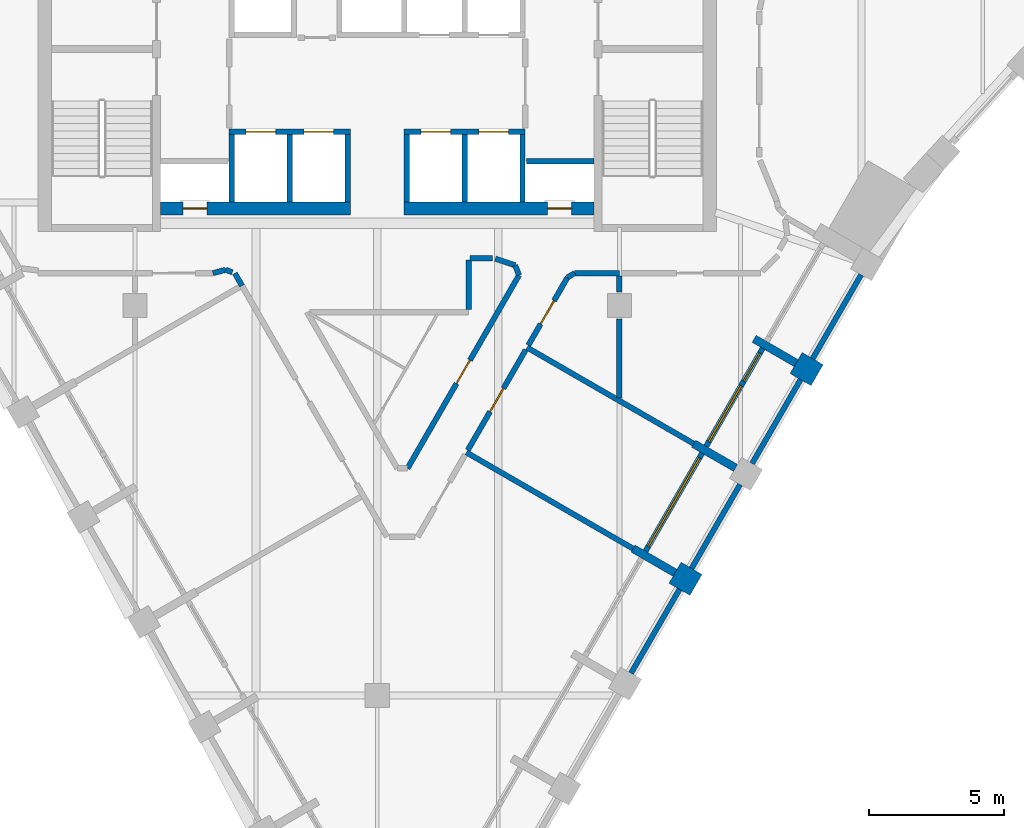
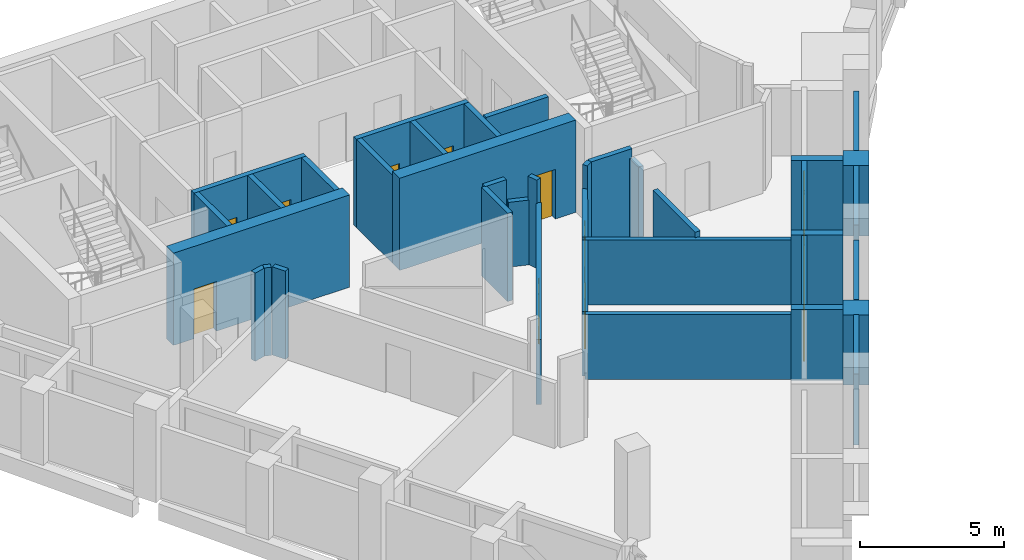
# One storey, part 4 of 9: 38 walls, 10 doors, 2 windows, 12 openings.
"""IFC4 building model written with IfcOpenShell, lengths in metres."""

from ifc_helpers import new_model, si_unit, direction, frame, frame_2d, origin, place, context, subcontext, project, spatial, polyline, rectangle, outline, extrude, material, layer, layer_set, type_object, element, fill, save


model = new_model("IFC4")

# Units and contexts
model_context = context("Model", 3, precision=1e-05, world=origin(), true_north=direction((0.0, 1.0)))
body_context = subcontext(model_context, "Body", "Model", "MODEL_VIEW")
ifc_project = project(units=[si_unit("LENGTHUNIT", "METRE"), si_unit("AREAUNIT", "SQUARE_METRE"), si_unit("VOLUMEUNIT", "CUBIC_METRE"), si_unit("PLANEANGLEUNIT", "RADIAN"), si_unit("MASSUNIT", "GRAM", prefix="KILO")], contexts=[model_context])

# Site, building, storey
site_placement = place(None, origin())
site = spatial("IfcSite", under=ifc_project, at=site_placement, CompositionType="ELEMENT")
building_placement = place(site_placement, origin())
building = spatial("IfcBuilding", under=site, at=building_placement, Name="Calabash Gate Tower", CompositionType="ELEMENT")
storey_placement = place(building_placement, frame((0.0, 0.0, 287.199951171875)))
storey = spatial("IfcBuildingStorey", under=building, at=storey_placement, Name="L69", CompositionType="ELEMENT", Elevation=287.199951171875)

# Walls
ifc_material_1 = material(Name="Terracotta brick masonry, exposed face", Category="masonry")
ifc_layer_1 = layer(ifc_material_1, 0.89990234375)
ifc_layer_set_1 = layer_set([ifc_layer_1], Name="Brick end wall 900")
wall_type_1 = type_object("IfcWallType", Name="Brick end wall 900", PredefinedType="SOLIDWALL", material=ifc_layer_set_1)
wall_1_placement = place(storey_placement, frame((11.068115234375, -7.436767578125, 0.0), z_axis=(0.0, 0.0, 1.0), x_axis=(0.866081705922, -0.499902469156, 0.0)))
element("IfcWall", 1, at=wall_1_placement, inside=storey, type_object=wall_type_1, Name="Brick pier S21 SE2.3", PredefinedType="SOLIDWALL", context=body_context, shape_type="SweptSolid", body=[
    extrude(rectangle(XDim=0.900146484375, YDim=0.89990234375, at=frame_2d((0.4501953125, 0.0))), origin(), (0.0, 0.0, 1.0), 2.9736328125),
])
wall_2_placement = place(storey_placement, frame((15.568115234375, 0.357421875, 0.0), z_axis=(0.0, 0.0, 1.0), x_axis=(0.866081705922, -0.499902469156, 0.0)))
element("IfcWall", 2, at=wall_2_placement, inside=storey, type_object=wall_type_1, Name="Brick pier S21 SE2.5", PredefinedType="SOLIDWALL", context=body_context, shape_type="SweptSolid", body=[
    extrude(rectangle(XDim=0.900146484375, YDim=0.89990234375, at=frame_2d((0.4501953125, 0.0))), origin(), (0.0, 0.0, 1.0), 3.0),
])
ifc_material_2 = material(Name="Terracotta brick masonry, exposed face", Category="masonry")
ifc_layer_2 = layer(ifc_material_2, 0.300048828125)
ifc_layer_set_2 = layer_set([ifc_layer_2], Name="Brick loggia cheek wall 300")
wall_type_2 = type_object("IfcWallType", Name="Brick loggia cheek wall 300", PredefinedType="SOLIDWALL", material=ifc_layer_set_2)
wall_3_placement = place(storey_placement, frame((11.068115234375, -7.436767578125, 0.0), z_axis=(0.0, 0.0, 1.0), x_axis=(-0.866047807691, 0.499961193289, 0.0)))
element("IfcWall", 3, at=wall_3_placement, inside=storey, type_object=wall_type_2, Name="Loggia cheek S21 SE2.3", PredefinedType="SOLIDWALL", context=body_context, shape_type="SweptSolid", body=[
    extrude(rectangle(XDim=1.800048828125, YDim=0.300048828125, at=frame_2d((0.89990234375, 0.0))), origin(), (0.0, 0.0, 1.0), 3.0),
])
wall_4_placement = place(storey_placement, frame((11.75927734375, -2.6396484375, 0.0), z_axis=(0.0, 0.0, 1.0), x_axis=(0.866038726271, -0.499976924066, 0.0)))
element("IfcWall", 4, at=wall_4_placement, inside=storey, type_object=wall_type_2, Name="Loggia cheek S21 SE2.4", PredefinedType="SOLIDWALL", context=body_context, shape_type="SweptSolid", body=[
    extrude(rectangle(XDim=1.79931640625, YDim=0.300048828125, at=frame_2d((0.899658203125, 0.0))), origin(), (0.0, 0.0, 1.0), 3.0),
])
wall_5_placement = place(storey_placement, frame((15.568115234375, 0.357421875, 0.0), z_axis=(0.0, 0.0, 1.0), x_axis=(-0.866047807691, 0.499961193289, 0.0)))
element("IfcWall", 5, at=wall_5_placement, inside=storey, type_object=wall_type_2, Name="Loggia cheek S21 SE2.5", PredefinedType="SOLIDWALL", context=body_context, shape_type="SweptSolid", body=[
    extrude(rectangle(XDim=1.800048828125, YDim=0.300048828125, at=frame_2d((0.89990234375, 0.0))), origin(), (0.0, 0.0, 1.0), 3.0),
])

# Wall, opening, door
ifc_material_3 = material(Name="Concrete C60/75", Category="concrete")
ifc_layer_3 = layer(ifc_material_3, 0.5)
ifc_layer_set_3 = layer_set([ifc_layer_3], Name="Core wall 500 Concrete C60/75")
wall_type_3 = type_object("IfcWallType", Name="Core wall 500 Concrete C60/75", PredefinedType="SHEAR", material=ifc_layer_set_3)
wall_6_placement = place(storey_placement, frame((-8.050048828125, 6.1025390625, 0.0), z_axis=(0.0, 0.0, 1.0), x_axis=(1.0, 0.0, 0.0)))
wall_6 = element("IfcWall", 6, at=wall_6_placement, inside=storey, type_object=wall_type_3, Name="Core wall Z5-SA L69", PredefinedType="SHEAR", context=body_context, shape_type="SweptSolid", body=[
    extrude(rectangle(XDim=7.050048828125, YDim=0.5, at=frame_2d((3.52490234375, 0.0))), origin(), (0.0, 0.0, 1.0), 3.900146484375),
])
opening_1_placement = place(wall_6_placement, frame((0.824951171875, 0.0, 0.0)))
opening_1 = element("IfcOpeningElement", 7, at=opening_1_placement, cuts=wall_6, Name="Opening O13-009", PredefinedType="OPENING", context=body_context, shape_type="SweptSolid", body=[
    extrude(rectangle(XDim=0.89990234375, YDim=2.10009765625, at=frame_2d((0.449951171875, 1.050048828125))), frame((0.0, 0.260009765625, 0.0), z_axis=(0.0, -1.0, 0.0), x_axis=(1.0, 0.0, 0.0)), (0.0, 0.0, 1.0), 0.52001953125),
])
ifc_material_4 = material(Name="Steel fire door set with fire-resisting glazing", Category="steel")
door_type_1 = type_object("IfcDoorType", Name="Fire door D07 900x2100 FD90", OperationType="NOTDEFINED", PredefinedType="DOOR", material=ifc_material_4)
door_1_placement = place(opening_1_placement, origin())
door_1 = element("IfcDoor", 8, at=door_1_placement, inside=storey, type_object=door_type_1, Name="Electrical Riser W door", OperationType="SINGLE_SWING_LEFT", OverallHeight=2.10009765625, OverallWidth=0.89990234375, PredefinedType="DOOR", context=body_context, shape_type="SweptSolid", body=[
    extrude(rectangle(XDim=0.89990234375, YDim=2.10009765625, at=frame_2d((0.449951171875, 1.050048828125))), frame((0.0, 0.02490234375, 0.0), z_axis=(0.0, -1.0, 0.0), x_axis=(1.0, 0.0, 0.0)), (0.0, 0.0, 1.0), 0.050048828125),
])
fill(opening_1, door_1)

wall_7_placement = place(storey_placement, frame((1.0, 6.1025390625, 0.0), z_axis=(0.0, 0.0, 1.0), x_axis=(1.0, 0.0, 0.0)))
wall_7 = element("IfcWall", 9, at=wall_7_placement, inside=storey, type_object=wall_type_3, Name="Core wall Z5-SB L69", PredefinedType="SHEAR", context=body_context, shape_type="SweptSolid", body=[
    extrude(rectangle(XDim=7.050048828125, YDim=0.5, at=frame_2d((3.52490234375, 0.0))), origin(), (0.0, 0.0, 1.0), 3.900146484375),
])
opening_2_placement = place(wall_7_placement, frame((5.324951171875, 0.0, 0.0)))
opening_2 = element("IfcOpeningElement", 10, at=opening_2_placement, cuts=wall_7, Name="Opening O13-008", PredefinedType="OPENING", context=body_context, shape_type="SweptSolid", body=[
    extrude(rectangle(XDim=0.89990234375, YDim=2.10009765625, at=frame_2d((0.449951171875, 1.050048828125))), frame((0.0, 0.260009765625, 0.0), z_axis=(0.0, -1.0, 0.0), x_axis=(1.0, 0.0, 0.0)), (0.0, 0.0, 1.0), 0.52001953125),
])
door_2_placement = place(opening_2_placement, origin())
door_2 = element("IfcDoor", 11, at=door_2_placement, inside=storey, type_object=door_type_1, Name="Mechanical Riser E door", OperationType="SINGLE_SWING_RIGHT", OverallHeight=2.10009765625, OverallWidth=0.89990234375, PredefinedType="DOOR", context=body_context, shape_type="SweptSolid", body=[
    extrude(rectangle(XDim=0.89990234375, YDim=2.10009765625, at=frame_2d((0.449951171875, 1.050048828125))), frame((0.0, 0.02490234375, 0.0), z_axis=(0.0, -1.0, 0.0), x_axis=(1.0, 0.0, 0.0)), (0.0, 0.0, 1.0), 0.050048828125),
])
fill(opening_2, door_2)

ifc_material_5 = material(Name="Gypsum board on steel studs, mineral wool", Category="steel")
ifc_layer_4 = layer(ifc_material_5, 0.199951171875)
ifc_layer_set_4 = layer_set([ifc_layer_4], Name="Partition 200 gypsum board EI 60")
wall_type_4 = type_object("IfcWallType", Name="Partition 200 gypsum board EI 60", PredefinedType="PARTITIONING", material=ifc_layer_set_4)
wall_8_placement = place(storey_placement, frame((1.126220703125, -3.556396484375, 0.0), z_axis=(0.0, 0.0, 1.0), x_axis=(0.500008091576, 0.86602073206, 0.0)))
wall_8 = element("IfcWall", 12, at=wall_8_placement, inside=storey, type_object=wall_type_4, Name="Partition", PredefinedType="PARTITIONING", context=body_context, shape_type="SweptSolid", body=[
    extrude(rectangle(XDim=8.286376953125, YDim=0.199951171875, at=frame_2d((4.14306640625, 0.0))), origin(), (0.0, 0.0, 1.0), 2.74169921875),
])
opening_3_placement = place(wall_8_placement, frame((3.643310546875, 0.0, 0.0)))
opening_3 = element("IfcOpeningElement", 13, at=opening_3_placement, cuts=wall_8, Name="Opening 69-70-012", PredefinedType="OPENING", context=body_context, shape_type="SweptSolid", body=[
    extrude(rectangle(XDim=1.0, YDim=2.10009765625, at=frame_2d((0.5, 1.050048828125))), frame((0.0, 0.10986328125, 0.0), z_axis=(0.0, -1.0, 0.0), x_axis=(1.0, 0.0, 0.0)), (0.0, 0.0, 1.0), 0.219970703125),
])
ifc_material_6 = material(Name="Steel fire door set with fire-resisting glazing", Category="steel")
door_type_2 = type_object("IfcDoorType", Name="WD3 WC lobby door 1000x2100", OperationType="NOTDEFINED", PredefinedType="DOOR", material=ifc_material_6)
door_3_placement = place(opening_3_placement, origin())
door_3 = element("IfcDoor", 14, at=door_3_placement, inside=storey, type_object=door_type_2, Name="WC lobby door", OperationType="SINGLE_SWING_RIGHT", OverallHeight=2.10009765625, OverallWidth=1.0, PredefinedType="DOOR", context=body_context, shape_type="SweptSolid", body=[
    extrude(rectangle(XDim=1.0, YDim=2.10009765625, at=frame_2d((0.5, 1.050048828125))), frame((0.0, 0.02490234375, 0.0), z_axis=(0.0, -1.0, 0.0), x_axis=(1.0, 0.0, 0.0)), (0.0, 0.0, 1.0), 0.050048828125),
])
fill(opening_3, door_3)

# Walls
wall_9_placement = place(storey_placement, frame((3.316650390625, -2.9638671875, 0.0), z_axis=(0.0, 0.0, 1.0), x_axis=(0.8661275932, -0.499822960955, 0.0)))
element("IfcWall", 15, at=wall_9_placement, inside=storey, type_object=wall_type_4, Name="Partition", PredefinedType="PARTITIONING", context=body_context, shape_type="SweptSolid", body=[
    extrude(rectangle(XDim=7.1494140625, YDim=0.199951171875, at=frame_2d((3.57470703125, 0.0))), origin(), (0.0, 0.0, 1.0), 2.74169921875),
])
wall_10_placement = place(storey_placement, frame((8.998046875, -0.943115234375, 0.0), z_axis=(0.0, 0.0, 1.0), x_axis=(0.000580671822, 0.99999983141, 0.0)))
element("IfcWall", 16, at=wall_10_placement, inside=storey, type_object=wall_type_4, Name="Partition", PredefinedType="PARTITIONING", context=body_context, shape_type="SweptSolid", body=[
    extrude(rectangle(XDim=2.943115234375, YDim=0.199951171875, at=frame_2d((1.4716796875, 0.0))), origin(), (0.0, 0.0, 1.0), 2.9736328125),
])

# Wall, opening, door
wall_11_placement = place(storey_placement, frame((3.368896484375, -2.876220703125, 0.0), z_axis=(0.0, 0.0, 1.0), x_axis=(0.500028799954, 0.866008775485, 0.0)))
wall_11 = element("IfcWall", 17, at=wall_11_placement, inside=storey, type_object=wall_type_4, Name="Partition", PredefinedType="PARTITIONING", context=body_context, shape_type="SweptSolid", body=[
    extrude(rectangle(XDim=4.300048828125, YDim=0.199951171875, at=frame_2d((2.14990234375, 0.0))), origin(), (0.0, 0.0, 1.0), 2.74169921875),
])
opening_4_placement = place(wall_11_placement, frame((1.64990234375, 0.0, 0.0)))
opening_4 = element("IfcOpeningElement", 18, at=opening_4_placement, cuts=wall_11, Name="Opening 69-70-003", PredefinedType="OPENING", context=body_context, shape_type="SweptSolid", body=[
    extrude(rectangle(XDim=1.0, YDim=2.10009765625, at=frame_2d((0.5, 1.050048828125))), frame((0.0, 0.10986328125, 0.0), z_axis=(0.0, -1.0, 0.0), x_axis=(1.0, 0.0, 0.0)), (0.0, 0.0, 1.0), 0.219970703125),
])
ifc_material_7 = material(Name="Steel fire door set with fire-resisting glazing", Category="steel")
door_type_3 = type_object("IfcDoorType", Name="LD2 Meeting room door 1000x2100", OperationType="NOTDEFINED", PredefinedType="DOOR", material=ifc_material_7)
door_4_placement = place(opening_4_placement, origin())
door_4 = element("IfcDoor", 19, at=door_4_placement, inside=storey, type_object=door_type_3, Name="Meeting room door", OperationType="SINGLE_SWING_LEFT", OverallHeight=2.10009765625, OverallWidth=1.0, PredefinedType="DOOR", context=body_context, shape_type="SweptSolid", body=[
    extrude(rectangle(XDim=1.0, YDim=2.10009765625, at=frame_2d((0.5, 1.050048828125))), frame((0.0, 0.02490234375, 0.0), z_axis=(0.0, -1.0, 0.0), x_axis=(1.0, 0.0, 0.0)), (0.0, 0.0, 1.0), 0.050048828125),
])
fill(opening_4, door_4)

# Walls
wall_12_placement = place(storey_placement, frame((5.568603515625, 0.936767578125, 0.0), z_axis=(0.0, 0.0, 1.0), x_axis=(0.866028067963, -0.499995385478, 0.0)))
element("IfcWall", 20, at=wall_12_placement, inside=storey, type_object=wall_type_4, Name="Partition", PredefinedType="PARTITIONING", context=body_context, shape_type="SweptSolid", body=[
    extrude(rectangle(XDim=7.1494140625, YDim=0.199951171875, at=frame_2d((3.57470703125, 0.0))), origin(), (0.0, 0.0, 1.0), 2.74169921875),
])
wall_13_placement = place(storey_placement, frame((8.998291015625, 3.599609375, 0.0), z_axis=(0.0, 0.0, 1.0), x_axis=(0.002442989453, -0.999997015897, 0.0)))
element("IfcWall", 21, at=wall_13_placement, inside=storey, type_object=wall_type_4, Name="Partition", PredefinedType="PARTITIONING", context=body_context, shape_type="SweptSolid", body=[
    extrude(rectangle(XDim=0.599609375, YDim=0.199951171875, at=frame_2d((0.2998046875, 0.0))), origin(), (0.0, 0.0, 1.0), 3.33154296875),
])
wall_14_placement = place(storey_placement, frame((-5.288818359375, 3.694091796875, 0.0), z_axis=(0.0, 0.0, 1.0), x_axis=(0.497517178185, -0.867454124096, 0.0)))
element("IfcWall", 22, at=wall_14_placement, inside=storey, type_object=wall_type_4, Name="Partition", PredefinedType="PARTITIONING", context=body_context, shape_type="SweptSolid", body=[
    extrude(rectangle(XDim=0.533935546875, YDim=0.199951171875, at=frame_2d((0.26708984375, 0.0))), origin(), (0.0, 0.0, 1.0), 3.72998046875),
])

# Wall, opening, door
wall_15_placement = place(storey_placement, frame((5.619140625, 1.021240234375, 0.0), z_axis=(0.0, 0.0, 1.0), x_axis=(0.499589520325, 0.866262264664, 0.0)))
wall_15 = element("IfcWall", 23, at=wall_15_placement, inside=storey, type_object=wall_type_4, Name="Partition", PredefinedType="PARTITIONING", context=body_context, shape_type="SweptSolid", body=[
    extrude(rectangle(XDim=2.9150390625, YDim=0.199951171875, at=frame_2d((1.45751953125, 0.0))), origin(), (0.0, 0.0, 1.0), 2.74169921875),
])
opening_5_placement = place(wall_15_placement, frame((0.906494140625, 0.0, 0.0)))
opening_5 = element("IfcOpeningElement", 24, at=opening_5_placement, cuts=wall_15, Name="Opening 69-70-010", PredefinedType="OPENING", context=body_context, shape_type="SweptSolid", body=[
    extrude(rectangle(XDim=1.0, YDim=2.10009765625, at=frame_2d((0.5, 1.050048828125))), frame((0.0, 0.10986328125, 0.0), z_axis=(0.0, -1.0, 0.0), x_axis=(1.0, 0.0, 0.0)), (0.0, 0.0, 1.0), 0.219970703125),
])
door_5_placement = place(opening_5_placement, origin())
door_5 = element("IfcDoor", 25, at=door_5_placement, inside=storey, type_object=door_type_3, Name="Meeting room door", OperationType="SINGLE_SWING_LEFT", OverallHeight=2.10009765625, OverallWidth=1.0, PredefinedType="DOOR", context=body_context, shape_type="SweptSolid", body=[
    extrude(rectangle(XDim=1.0, YDim=2.10009765625, at=frame_2d((0.5, 1.050048828125))), frame((0.0, 0.02490234375, 0.0), z_axis=(0.0, -1.0, 0.0), x_axis=(1.0, 0.0, 0.0)), (0.0, 0.0, 1.0), 0.050048828125),
])
fill(opening_5, door_5)

# Walls
wall_16_placement = place(storey_placement, frame((5.12890625, 3.989990234375, 0.0), z_axis=(0.0, 0.0, 1.0), x_axis=(0.355174654852, -0.934799959644, 0.0)))
element("IfcWall", 26, at=wall_16_placement, inside=storey, type_object=wall_type_4, Name="Partition", PredefinedType="PARTITIONING", context=body_context, shape_type="SweptSolid", body=[
    extrude(rectangle(XDim=0.39599609375, YDim=0.199951171875, at=frame_2d((0.197998046875, 0.0))), origin(), (0.0, 0.0, 1.0), 3.72998046875),
])
wall_17_placement = place(storey_placement, frame((7.075439453125, 3.54638671875, 0.0), z_axis=(0.0, 0.0, 1.0), x_axis=(0.866026229868, 0.499998569178, 0.0)))
element("IfcWall", 27, at=wall_17_placement, inside=storey, type_object=wall_type_4, Name="Partition", PredefinedType="PARTITIONING", context=body_context, shape_type="SweptSolid", body=[
    extrude(rectangle(XDim=0.30615234375, YDim=0.199951171875, at=frame_2d((0.153076171875, 0.0))), origin(), (0.0, 0.0, 1.0), 3.72998046875),
])
wall_18_placement = place(storey_placement, frame((7.340576171875, 3.699462890625, 0.0), z_axis=(0.0, 0.0, 1.0), x_axis=(0.999999610268, -0.000882871934, 0.0)))
element("IfcWall", 28, at=wall_18_placement, inside=storey, type_object=wall_type_4, Name="Partition", PredefinedType="PARTITIONING", context=body_context, shape_type="SweptSolid", body=[
    extrude(rectangle(XDim=1.6591796875, YDim=0.199951171875, at=frame_2d((0.82958984375, 0.0))), origin(), (0.0, 0.0, 1.0), 3.72998046875),
])
wall_19_placement = place(storey_placement, frame((-5.62890625, 3.822998046875, 0.0), z_axis=(0.0, 0.0, 1.0), x_axis=(0.93514551708, -0.354263830902, 0.0)))
element("IfcWall", 29, at=wall_19_placement, inside=storey, type_object=wall_type_4, Name="Partition", PredefinedType="PARTITIONING", context=body_context, shape_type="SweptSolid", body=[
    extrude(rectangle(XDim=0.263916015625, YDim=0.199951171875, at=frame_2d((0.1318359375, 0.0))), origin(), (0.0, 0.0, 1.0), 3.72998046875),
])
wall_20_placement = place(storey_placement, frame((-6.107177734375, 3.699462890625, 0.0), z_axis=(0.0, 0.0, 1.0), x_axis=(0.968223295936, 0.250087283177, 0.0)))
element("IfcWall", 30, at=wall_20_placement, inside=storey, type_object=wall_type_4, Name="Partition", PredefinedType="PARTITIONING", context=body_context, shape_type="SweptSolid", body=[
    extrude(rectangle(XDim=0.493896484375, YDim=0.199951171875, at=frame_2d((0.2470703125, 0.0))), origin(), (0.0, 0.0, 1.0), 3.72998046875),
])
wall_21_placement = place(storey_placement, frame((4.392578125, 4.235595703125, 0.0), z_axis=(0.0, 0.0, 1.0), x_axis=(0.94862037342, -0.316416477341, 0.0)))
element("IfcWall", 31, at=wall_21_placement, inside=storey, type_object=wall_type_4, Name="Partition", PredefinedType="PARTITIONING", context=body_context, shape_type="SweptSolid", body=[
    extrude(rectangle(XDim=0.776123046875, YDim=0.199951171875, at=frame_2d((0.38818359375, 0.0))), origin(), (0.0, 0.0, 1.0), 2.74169921875),
])
wall_22_placement = place(storey_placement, frame((3.400146484375, 2.3525390625, 0.0), z_axis=(0.0, 0.0, 1.0), x_axis=(0.0, 1.0, 0.0)))
element("IfcWall", 32, at=wall_22_placement, inside=storey, type_object=wall_type_4, Name="Partition", PredefinedType="PARTITIONING", context=body_context, shape_type="SweptSolid", body=[
    extrude(rectangle(XDim=1.829345703125, YDim=0.199951171875, at=frame_2d((0.91455078125, 0.0))), origin(), (0.0, 0.0, 1.0), 3.72998046875),
])
wall_23_placement = place(storey_placement, frame((3.441162109375, 4.25048828125, 0.0), z_axis=(0.0, 0.0, 1.0), x_axis=(0.999997346991, 0.002303477908, 0.0)))
element("IfcWall", 33, at=wall_23_placement, inside=storey, type_object=wall_type_4, Name="Partition", PredefinedType="PARTITIONING", context=body_context, shape_type="SweptSolid", body=[
    extrude(rectangle(XDim=0.847900390625, YDim=0.199951171875, at=frame_2d((0.423828125, 0.0))), origin(), (0.0, 0.0, 1.0), 3.72998046875),
])
ifc_material_8 = material(Name="Concrete C40/50", Category="concrete")
ifc_layer_5 = layer(ifc_material_8, 0.199951171875)
ifc_layer_set_5 = layer_set([ifc_layer_5], Name="Shaft wall 200 Concrete C40/50")
wall_type_5 = type_object("IfcWallType", Name="Shaft wall 200 Concrete C40/50", PredefinedType="SOLIDWALL", material=ifc_layer_set_5)
for number, where, z_axis, x_axis, name in (
    (34, (-5.39990234375, 6.3525390625, 0.0), (0.0, 0.0, 1.0), (0.0, 1.0, 0.0), "Shaft wall"),
    (35, (-3.25, 6.3525390625, 0.0), (0.0, 0.0, 1.0), (0.0, 1.0, 0.0), "Shaft wall"),
    (36, (-1.10009765625, 6.3525390625, 0.0), (0.0, 0.0, 1.0), (0.0, 1.0, 0.0), "Shaft wall"),
    (37, (1.10009765625, 6.3525390625, 0.0), (0.0, 0.0, 1.0), (0.0, 1.0, 0.0), "Shaft wall"),
    (38, (3.25, 6.3525390625, 0.0), (0.0, 0.0, 1.0), (0.0, 1.0, 0.0), "Shaft wall"),
    (39, (5.39990234375, 6.3525390625, 0.0), (0.0, 0.0, 1.0), (0.0, 1.0, 0.0), "Shaft wall"),
    (40, (5.550048828125, 7.8525390625, 0.0), (0.0, 0.0, 1.0), (1.0, 0.0, 0.0), "Shaft wall"),
):
    element("IfcWall", number, at=place(storey_placement, frame(where, z_axis=z_axis, x_axis=x_axis)), inside=storey, type_object=wall_type_5, Name=name, PredefinedType="SOLIDWALL", context=body_context, shape_type="SweptSolid", body=[
        extrude(rectangle(XDim=2.5, YDim=0.199951171875, at=frame_2d((1.25, 0.0))), origin(), (0.0, 0.0, 1.0), 3.72998046875),
    ])

# Wall, openings, doors
wall_24_placement = place(storey_placement, frame((-5.5, 8.95263671875, 0.0), z_axis=(0.0, 0.0, 1.0), x_axis=(1.0, 0.0, 0.0)))
wall_24 = element("IfcWall", 41, at=wall_24_placement, inside=storey, type_object=wall_type_5, Name="Shaft wall", PredefinedType="SOLIDWALL", context=body_context, shape_type="SweptSolid", body=[
    extrude(rectangle(XDim=4.5, YDim=0.199951171875, at=frame_2d((2.25, 0.0))), origin(), (0.0, 0.0, 1.0), 3.72998046875),
])
opening_6_placement = place(wall_24_placement, frame((0.625, 0.0, 0.0)))
opening_6 = element("IfcOpeningElement", 42, at=opening_6_placement, cuts=wall_24, Name="Opening LD-HR1", PredefinedType="OPENING", context=body_context, shape_type="SweptSolid", body=[
    extrude(rectangle(XDim=1.10009765625, YDim=2.10009765625, at=frame_2d((0.550048828125, 1.050048828125))), frame((0.0, 0.10986328125, 0.0), z_axis=(0.0, -1.0, 0.0), x_axis=(1.0, 0.0, 0.0)), (0.0, 0.0, 1.0), 0.219970703125),
])
opening_7_placement = place(wall_24_placement, frame((2.77490234375, 0.0, 0.0)))
opening_7 = element("IfcOpeningElement", 43, at=opening_7_placement, cuts=wall_24, Name="Opening LD-HR2", PredefinedType="OPENING", context=body_context, shape_type="SweptSolid", body=[
    extrude(rectangle(XDim=1.10009765625, YDim=2.10009765625, at=frame_2d((0.550048828125, 1.050048828125))), frame((0.0, 0.10986328125, 0.0), z_axis=(0.0, -1.0, 0.0), x_axis=(1.0, 0.0, 0.0)), (0.0, 0.0, 1.0), 0.219970703125),
])
ifc_material_9 = material(Name="Stainless steel sliding door leaves", Category="steel")
door_type_4 = type_object("IfcDoorType", Name="Lift landing door LS1 1100x2100 FD90", OperationType="DOUBLE_DOOR_SLIDING", PredefinedType="DOOR", material=ifc_material_9)
door_6_placement = place(opening_6_placement, origin())
door_6 = element("IfcDoor", 44, at=door_6_placement, inside=storey, type_object=door_type_4, Name="Lift landing door HR1", OperationType="DOUBLE_DOOR_SLIDING", OverallHeight=2.10009765625, OverallWidth=1.10009765625, PredefinedType="DOOR", context=body_context, shape_type="SweptSolid", body=[
    extrude(rectangle(XDim=1.10009765625, YDim=2.10009765625, at=frame_2d((0.550048828125, 1.050048828125))), frame((0.0, 0.02490234375, 0.0), z_axis=(0.0, -1.0, 0.0), x_axis=(1.0, 0.0, 0.0)), (0.0, 0.0, 1.0), 0.050048828125),
])
fill(opening_6, door_6)
door_7_placement = place(opening_7_placement, origin())
door_7 = element("IfcDoor", 45, at=door_7_placement, inside=storey, type_object=door_type_4, Name="Lift landing door HR2", OperationType="DOUBLE_DOOR_SLIDING", OverallHeight=2.10009765625, OverallWidth=1.10009765625, PredefinedType="DOOR", context=body_context, shape_type="SweptSolid", body=[
    extrude(rectangle(XDim=1.10009765625, YDim=2.10009765625, at=frame_2d((0.550048828125, 1.050048828125))), frame((0.0, 0.02490234375, 0.0), z_axis=(0.0, -1.0, 0.0), x_axis=(1.0, 0.0, 0.0)), (0.0, 0.0, 1.0), 0.050048828125),
])
fill(opening_7, door_7)

wall_25_placement = place(storey_placement, frame((1.0, 8.95263671875, 0.0), z_axis=(0.0, 0.0, 1.0), x_axis=(1.0, 0.0, 0.0)))
wall_25 = element("IfcWall", 46, at=wall_25_placement, inside=storey, type_object=wall_type_5, Name="Shaft wall", PredefinedType="SOLIDWALL", context=body_context, shape_type="SweptSolid", body=[
    extrude(rectangle(XDim=4.5, YDim=0.199951171875, at=frame_2d((2.25, 0.0))), origin(), (0.0, 0.0, 1.0), 3.72998046875),
])
opening_8_placement = place(wall_25_placement, frame((0.625, 0.0, 0.0)))
opening_8 = element("IfcOpeningElement", 47, at=opening_8_placement, cuts=wall_25, Name="Opening LD-HR3", PredefinedType="OPENING", context=body_context, shape_type="SweptSolid", body=[
    extrude(rectangle(XDim=1.10009765625, YDim=2.10009765625, at=frame_2d((0.550048828125, 1.050048828125))), frame((0.0, 0.10986328125, 0.0), z_axis=(0.0, -1.0, 0.0), x_axis=(1.0, 0.0, 0.0)), (0.0, 0.0, 1.0), 0.219970703125),
])
opening_9_placement = place(wall_25_placement, frame((2.77490234375, 0.0, 0.0)))
opening_9 = element("IfcOpeningElement", 48, at=opening_9_placement, cuts=wall_25, Name="Opening LD-HR4", PredefinedType="OPENING", context=body_context, shape_type="SweptSolid", body=[
    extrude(rectangle(XDim=1.10009765625, YDim=2.10009765625, at=frame_2d((0.550048828125, 1.050048828125))), frame((0.0, 0.10986328125, 0.0), z_axis=(0.0, -1.0, 0.0), x_axis=(1.0, 0.0, 0.0)), (0.0, 0.0, 1.0), 0.219970703125),
])
door_8_placement = place(opening_8_placement, origin())
door_8 = element("IfcDoor", 49, at=door_8_placement, inside=storey, type_object=door_type_4, Name="Lift landing door HR3", OperationType="DOUBLE_DOOR_SLIDING", OverallHeight=2.10009765625, OverallWidth=1.10009765625, PredefinedType="DOOR", context=body_context, shape_type="SweptSolid", body=[
    extrude(rectangle(XDim=1.10009765625, YDim=2.10009765625, at=frame_2d((0.550048828125, 1.050048828125))), frame((0.0, 0.02490234375, 0.0), z_axis=(0.0, -1.0, 0.0), x_axis=(1.0, 0.0, 0.0)), (0.0, 0.0, 1.0), 0.050048828125),
])
fill(opening_8, door_8)
door_9_placement = place(opening_9_placement, origin())
door_9 = element("IfcDoor", 50, at=door_9_placement, inside=storey, type_object=door_type_4, Name="Lift landing door HR4", OperationType="DOUBLE_DOOR_SLIDING", OverallHeight=2.10009765625, OverallWidth=1.10009765625, PredefinedType="DOOR", context=body_context, shape_type="SweptSolid", body=[
    extrude(rectangle(XDim=1.10009765625, YDim=2.10009765625, at=frame_2d((0.550048828125, 1.050048828125))), frame((0.0, 0.02490234375, 0.0), z_axis=(0.0, -1.0, 0.0), x_axis=(1.0, 0.0, 0.0)), (0.0, 0.0, 1.0), 0.050048828125),
])
fill(opening_9, door_9)

# Walls
ifc_material_10 = material(Name="Terracotta brick masonry, perforated", Category="masonry")
ifc_layer_6 = layer(ifc_material_10, 0.199951171875)
ifc_layer_set_6 = layer_set([ifc_layer_6], Name="Terracotta jaali screen A")
wall_type_6 = type_object("IfcWallType", Name="Terracotta jaali screen A", PredefinedType="SOLIDWALL", material=ifc_layer_set_6)
for number, where, z_axis, x_axis, name in (
    (51, (9.432861328125, -11.169189453125, 0.0), (0.0, 0.0, 1.0), (0.500012057535, 0.866018442252, 0.0), "SCREEN A S21 SE2.3"),
    (52, (11.682861328125, -7.272216796875, 0.0), (0.0, 0.0, 1.0), (0.500012057535, 0.866018442252, 0.0), "SCREEN A S21 SE2.4"),
):
    element("IfcWall", number, at=place(storey_placement, frame(where, z_axis=z_axis, x_axis=x_axis)), inside=storey, type_object=wall_type_6, Name=name, PredefinedType="SOLIDWALL", context=body_context, shape_type="SweptSolid", body=[
        extrude(rectangle(XDim=3.60009765625, YDim=0.199951171875, at=frame_2d((1.800048828125, 0.0))), origin(), (0.0, 0.0, 1.0), 3.0),
    ])
wall_26_placement = place(storey_placement, origin())
element("IfcWall", 53, at=wall_26_placement, inside=storey, type_object=wall_type_6, Name="SCREEN A S21 SE2.5", PredefinedType="SOLIDWALL", context=body_context, shape_type="SweptSolid", body=[
    extrude(outline(polyline([(15.646240234375, -0.207275390625), (13.84716796875, -3.32373046875), (14.020263671875, -3.423583984375), (15.819580078125, -0.307373046875), (15.646240234375, -0.207275390625)])), origin(), (0.0, 0.0, 1.0), 3.0),
])
wall_27_placement = place(storey_placement, frame((16.182861328125, 0.522216796875, 0.0), z_axis=(0.0, 0.0, 1.0), x_axis=(0.500012057535, 0.866018442252, 0.0)))
element("IfcWall", 54, at=wall_27_placement, inside=storey, type_object=wall_type_6, Name="SCREEN A S21 SE2.6", PredefinedType="SOLIDWALL", context=body_context, shape_type="SweptSolid", body=[
    extrude(rectangle(XDim=3.60009765625, YDim=0.199951171875, at=frame_2d((1.800048828125, 0.0))), origin(), (0.0, 0.0, 1.0), 3.0),
])

# Wall, opening, window
ifc_material_11 = material(Name="Aluminium framed window wall with insulated spandrel", Category="aluminium")
ifc_layer_7 = layer(ifc_material_11, 0.199951171875)
ifc_layer_set_7 = layer_set([ifc_layer_7], Name="Window wall 200")
wall_type_7 = type_object("IfcWallType", Name="Window wall 200", PredefinedType="ELEMENTEDWALL", material=ifc_layer_set_7)
wall_28_placement = place(storey_placement, frame((9.97412109375, -6.6318359375, 0.0), z_axis=(0.0, 0.0, 1.0), x_axis=(0.49998411664, 0.866034573852, 0.0)))
wall_28 = element("IfcWall", 55, at=wall_28_placement, inside=storey, type_object=wall_type_7, Name="Window wall S21 SE2.4", PredefinedType="ELEMENTEDWALL", context=body_context, shape_type="SweptSolid", body=[
    extrude(rectangle(XDim=4.199951171875, YDim=0.199951171875, at=frame_2d((2.10009765625, 0.0))), origin(), (0.0, 0.0, 1.0), 2.9736328125),
])
opening_10_placement = place(wall_28_placement, frame((0.199951171875, 0.0, 0.449951171875)))
opening_10 = element("IfcOpeningElement", 56, at=opening_10_placement, cuts=wall_28, Name="Opening OW2", PredefinedType="OPENING", context=body_context, shape_type="SweptSolid", body=[
    extrude(rectangle(XDim=3.800048828125, YDim=2.25, at=frame_2d((1.89990234375, 1.125))), frame((0.0, 0.10986328125, 0.0), z_axis=(0.0, -1.0, 0.0), x_axis=(1.0, 0.0, 0.0)), (0.0, 0.0, 1.0), 0.219970703125),
])
ifc_material_12 = material(Name="Anodised aluminium frame, bronze finish, impact-rated laminated clear glazing", Category="aluminium")
window_type_1 = type_object("IfcWindowType", Name="Window OW2 3800x2250", PartitioningType="TRIPLE_PANEL_VERTICAL", PredefinedType="WINDOW", material=ifc_material_12)
window_1_placement = place(opening_10_placement, origin())
window_1 = element("IfcWindow", 57, at=window_1_placement, inside=storey, type_object=window_type_1, Name="Window OW2 S21 SE2.4", OverallHeight=2.25, OverallWidth=3.800048828125, PartitioningType="SINGLE_PANEL", PredefinedType="WINDOW", context=body_context, shape_type="SweptSolid", body=[
    extrude(rectangle(XDim=3.800048828125, YDim=2.25, at=frame_2d((1.89990234375, 1.125))), frame((0.0, 0.030029296875, 0.0), z_axis=(0.0, -1.0, 0.0), x_axis=(1.0, 0.0, 0.0)), (0.0, 0.0, 1.0), 0.06005859375),
])
fill(opening_10, window_1)

# Wall, openings, door, window
wall_29_placement = place(storey_placement, frame((12.22412109375, -2.73486328125, 0.0), z_axis=(0.0, 0.0, 1.0), x_axis=(0.499958946799, 0.866049104564, 0.0)))
wall_29 = element("IfcWall", 58, at=wall_29_placement, inside=storey, type_object=wall_type_7, Name="Window wall S21 SE2.5", PredefinedType="ELEMENTEDWALL", context=body_context, shape_type="SweptSolid", body=[
    extrude(rectangle(XDim=4.199951171875, YDim=0.199951171875, at=frame_2d((2.10009765625, 0.0))), origin(), (0.0, 0.0, 1.0), 3.0),
])
opening_11_placement = place(wall_29_placement, frame((0.199951171875, 0.0, 0.449951171875)))
opening_11 = element("IfcOpeningElement", 59, at=opening_11_placement, cuts=wall_29, Name="Opening OW1", PredefinedType="OPENING", context=body_context, shape_type="SweptSolid", body=[
    extrude(rectangle(XDim=2.39990234375, YDim=2.25, at=frame_2d((1.199951171875, 1.125))), frame((0.0, 0.10986328125, 0.0), z_axis=(0.0, -1.0, 0.0), x_axis=(1.0, 0.0, 0.0)), (0.0, 0.0, 1.0), 0.219970703125),
])
opening_12_placement = place(wall_29_placement, frame((2.800048828125, 0.0, 0.0)))
opening_12 = element("IfcOpeningElement", 60, at=opening_12_placement, cuts=wall_29, Name="Opening O13-017", PredefinedType="OPENING", context=body_context, shape_type="SweptSolid", body=[
    extrude(rectangle(XDim=1.199951171875, YDim=2.699951171875, at=frame_2d((0.60009765625, 1.35009765625))), frame((0.0, 0.10986328125, 0.0), z_axis=(0.0, -1.0, 0.0), x_axis=(1.0, 0.0, 0.0)), (0.0, 0.0, 1.0), 0.219970703125),
])
ifc_material_13 = material(Name="Anodised aluminium frame, bronze finish, impact-rated laminated clear glazing", Category="aluminium")
door_type_5 = type_object("IfcDoorType", Name="Loggia door DO1 1200x2700", OperationType="SLIDING_TO_LEFT", PredefinedType="DOOR", material=ifc_material_13)
door_10_placement = place(opening_12_placement, origin())
door_10 = element("IfcDoor", 61, at=door_10_placement, inside=storey, type_object=door_type_5, Name="Loggia door S21 SE2.5", OperationType="SINGLE_SWING_LEFT", OverallHeight=2.699951171875, OverallWidth=1.199951171875, PredefinedType="DOOR", context=body_context, shape_type="SweptSolid", body=[
    extrude(rectangle(XDim=1.199951171875, YDim=2.699951171875, at=frame_2d((0.60009765625, 1.35009765625))), frame((0.0, 0.02490234375, 0.0), z_axis=(0.0, -1.0, 0.0), x_axis=(1.0, 0.0, 0.0)), (0.0, 0.0, 1.0), 0.050048828125),
])
fill(opening_12, door_10)
ifc_material_14 = material(Name="Anodised aluminium frame, bronze finish, impact-rated laminated clear glazing", Category="aluminium")
window_type_2 = type_object("IfcWindowType", Name="Window OW1 2400x2250", PartitioningType="DOUBLE_PANEL_VERTICAL", PredefinedType="WINDOW", material=ifc_material_14)
window_2_placement = place(opening_11_placement, origin())
window_2 = element("IfcWindow", 62, at=window_2_placement, inside=storey, type_object=window_type_2, Name="Window OW1 S21 SE2.5", OverallHeight=2.25, OverallWidth=2.39990234375, PartitioningType="SINGLE_PANEL", PredefinedType="WINDOW", context=body_context, shape_type="SweptSolid", body=[
    extrude(rectangle(XDim=2.39990234375, YDim=2.25, at=frame_2d((1.199951171875, 1.125))), frame((0.0, 0.030029296875, 0.0), z_axis=(0.0, -1.0, 0.0), x_axis=(1.0, 0.0, 0.0)), (0.0, 0.0, 1.0), 0.06005859375),
])
fill(opening_11, window_2)

save(model, "model.ifc")
